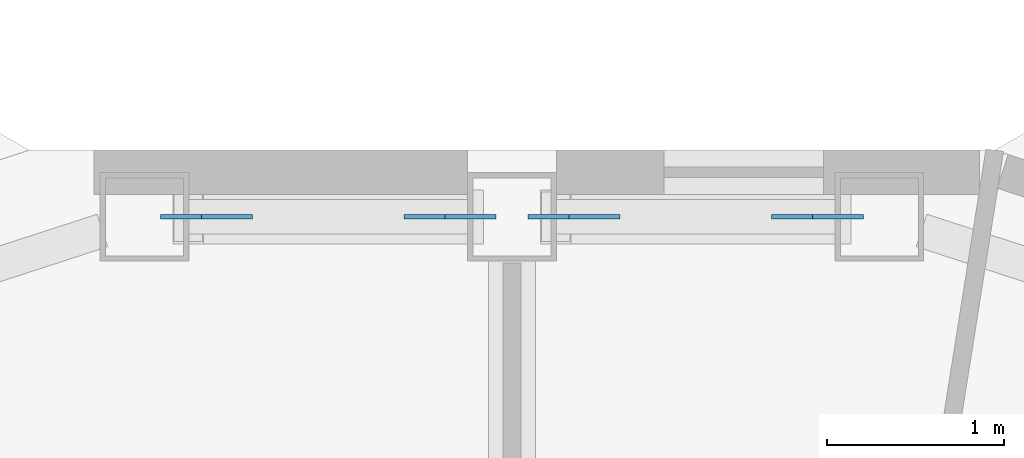
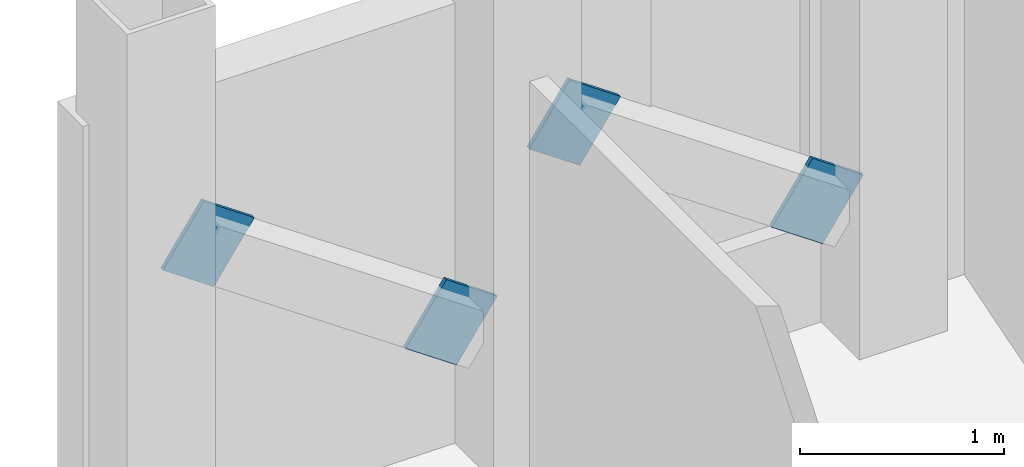
# One storey, part 20 of 26: 4 discrete accessories.
"""IFC4 building model written with IfcOpenShell, lengths in metres."""

from ifc_helpers import new_model, si_unit, direction, frame, origin, origin_2d, place, context, subcontext, project, spatial, rectangle, extrude, material, material_profile, profile_set, type_object, element, save


model = new_model("IFC4")

# Units and contexts
model_context = context("Model", 3, precision=1e-05, world=origin(), true_north=direction((0.0, 1.0)))
body_context = subcontext(model_context, "Body", "Model", "MODEL_VIEW")
ifc_project = project(units=[si_unit("LENGTHUNIT", "METRE"), si_unit("AREAUNIT", "SQUARE_METRE"), si_unit("VOLUMEUNIT", "CUBIC_METRE"), si_unit("PLANEANGLEUNIT", "RADIAN"), si_unit("MASSUNIT", "GRAM", prefix="KILO")], contexts=[model_context])

# Site, building, storey
site_placement = place(None, origin())
site = spatial("IfcSite", under=ifc_project, at=site_placement, CompositionType="ELEMENT")
building_placement = place(site_placement, origin())
building = spatial("IfcBuilding", under=site, at=building_placement, Name="Cormorant Prow Tower", CompositionType="ELEMENT")
storey_placement = place(building_placement, frame((0.0, 0.0, 364.39990234375)))
storey = spatial("IfcBuildingStorey", under=building, at=storey_placement, Name="L81", CompositionType="ELEMENT", Elevation=364.39990234375)

# Discrete accessories
ifc_material = material(Name="Structural steel ASTM A500 Gr C", Category="steel")
ifc_material_profile = material_profile(ifc_material, rectangle(XDim=0.02490234375, YDim=0.405029296875, at=origin_2d()), Name="Gusset plate 25x405")
ifc_profile_set = profile_set([ifc_material_profile], Name="Structural steel ASTM A500 Gr C")
discrete_accessory_type = type_object("IfcDiscreteAccessoryType", Name="Gusset plate 25x405", PredefinedType="BRACKET", material=ifc_profile_set)
discrete_accessory_1_placement = place(storey_placement, frame((1.580322265625, 31.219482421875, 0.94140625), z_axis=(0.82226750666, 0.0, -0.569101175093), x_axis=(0.0, 1.0, 0.0)))
element("IfcDiscreteAccessory", 1, at=discrete_accessory_1_placement, inside=storey, type_object=discrete_accessory_type, Name="Gusset plate GP3 L81.N00.g0", PredefinedType="BRACKET", context=body_context, shape_type="SweptSolid", body=[
    extrude(rectangle(XDim=0.02490234375, YDim=0.405029296875, at=origin_2d()), origin(), (0.0, 0.0, 1.0), 0.35009765625),
])
discrete_accessory_2_placement = place(storey_placement, frame((0.493408203125, 31.219482421875, 1.69287109375), z_axis=(-0.822593864641, 0.0, 0.568629346635), x_axis=(0.0, -1.0, 0.0)))
element("IfcDiscreteAccessory", 2, at=discrete_accessory_2_placement, inside=storey, type_object=discrete_accessory_type, Name="Gusset plate GP3 L81.N00.g1", PredefinedType="BRACKET", context=body_context, shape_type="SweptSolid", body=[
    extrude(rectangle(XDim=0.02490234375, YDim=0.405029296875, at=origin_2d()), origin(), (0.0, 0.0, 1.0), 0.349853515625),
])
discrete_accessory_3_placement = place(storey_placement, frame((-0.493408203125, 31.219482421875, 0.94140625), z_axis=(0.82226750666, 0.0, -0.569101175093), x_axis=(0.0, 1.0, 0.0)))
element("IfcDiscreteAccessory", 3, at=discrete_accessory_3_placement, inside=storey, type_object=discrete_accessory_type, Name="Gusset plate GP3 L81.N01.g0", PredefinedType="BRACKET", context=body_context, shape_type="SweptSolid", body=[
    extrude(rectangle(XDim=0.02490234375, YDim=0.405029296875, at=origin_2d()), origin(), (0.0, 0.0, 1.0), 0.35009765625),
])
discrete_accessory_4_placement = place(storey_placement, frame((-1.580322265625, 31.219482421875, 1.69287109375), z_axis=(-0.822593864641, 0.0, 0.568629346635), x_axis=(0.0, -1.0, 0.0)))
element("IfcDiscreteAccessory", 4, at=discrete_accessory_4_placement, inside=storey, type_object=discrete_accessory_type, Name="Gusset plate GP3 L81.N01.g1", PredefinedType="BRACKET", context=body_context, shape_type="SweptSolid", body=[
    extrude(rectangle(XDim=0.02490234375, YDim=0.405029296875, at=origin_2d()), origin(), (0.0, 0.0, 1.0), 0.349853515625),
])

save(model, "model.ifc")
